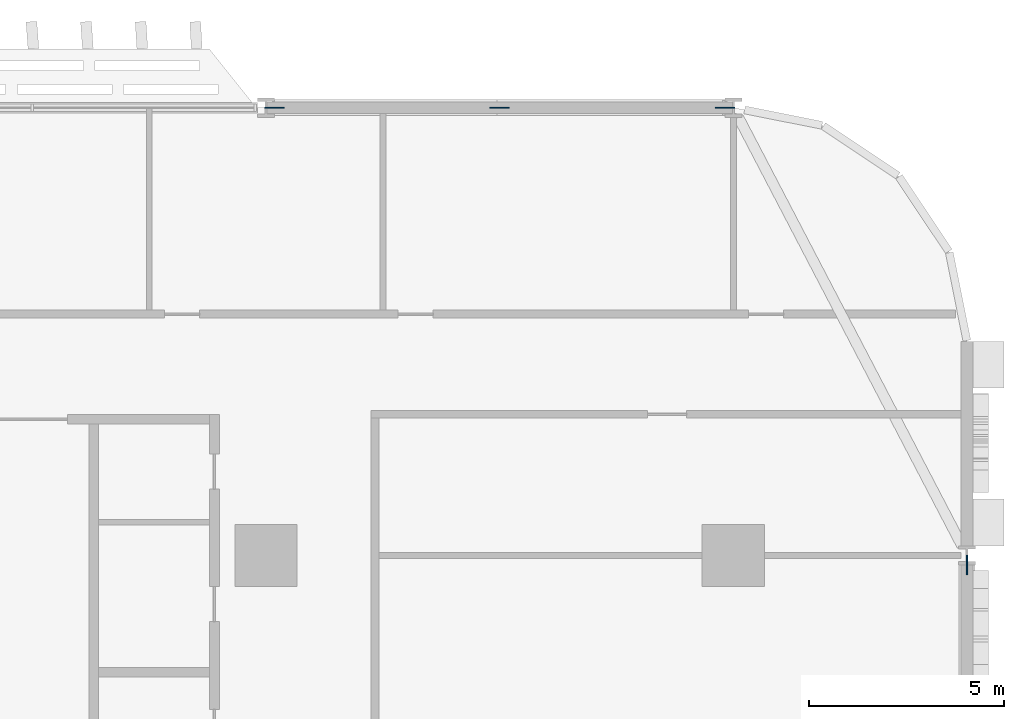
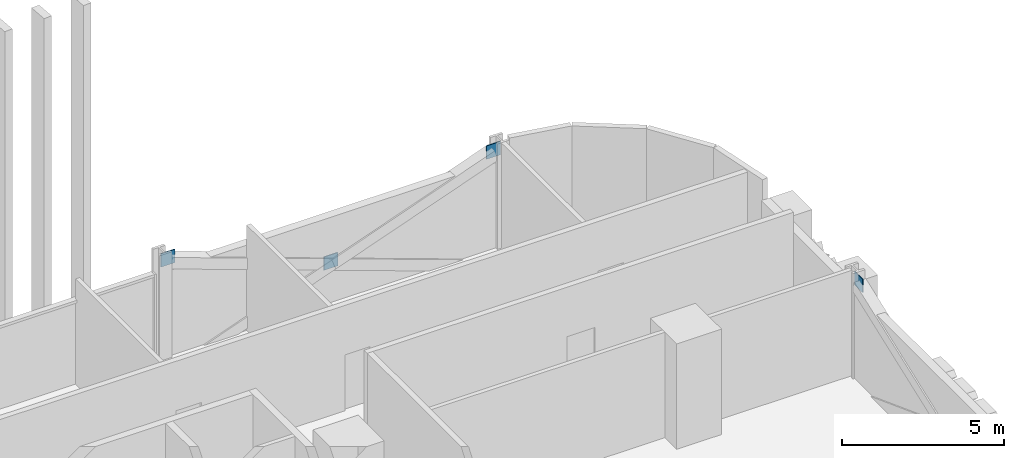
# One storey, part 22 of 29: 4 discrete accessories.
"""IFC4 building model written with IfcOpenShell, lengths in metres."""

import ifcopenshell
import ifcopenshell.guid

model = None  # the IFC model being written
_history = None  # IfcOwnerHistory: only IFC2X3 demands one
_inside = {}  # id of a spatial element -> (the spatial element, [elements in it])
_under = {}  # id of a project, library or spatial element -> (it, [spatial elements below it])
_declared = {}  # id of a project -> (the project, [libraries it declares])
_typed = {}  # id of a type object -> (the type object, [elements of that type])
_made_of = {}  # id of a material, layer set ... -> (it, [elements and type objects made of it])


def new_model(schema):
    """Start an empty IFC model of exactly this schema.

    Asked for "IFC4X3", IfcOpenShell would pick the latest addendum, in which some entities
    have other attributes; the version numbers below select the first issue.
    IFC2X3 requires an IfcOwnerHistory on every rooted entity: one is made here for all.
    """
    global model, _history
    if schema == "IFC4X3":
        model = ifcopenshell.file(schema_version=(4, 3, 0, 0))
    else:
        model = ifcopenshell.file(schema=schema)
    _inside.clear()
    _under.clear()
    _declared.clear()
    _typed.clear()
    _made_of.clear()
    _history = None
    if model.schema == "IFC2X3":
        org = make("IfcOrganization", Name="unknown")
        user = make(
            "IfcPersonAndOrganization",
            ThePerson=make("IfcPerson", FamilyName="unknown"),
            TheOrganization=org,
        )
        app = make(
            "IfcApplication",
            ApplicationDeveloper=org,
            Version="unknown",
            ApplicationFullName="unknown",
            ApplicationIdentifier="unknown",
        )
        _history = make(
            "IfcOwnerHistory",
            OwningUser=user,
            OwningApplication=app,
            ChangeAction="ADDED",
            CreationDate=0,
        )
    return model


def make(cls, **values):
    """One entity of the class cls with the attributes given. An attribute that is None is left unset."""
    return model.create_entity(
        cls, **{name: value for name, value in values.items() if value is not None}
    )


def rooted(cls, **values):
    """An entity with a GlobalId (a new one), such as an element, a storey or a relation."""
    return make(cls, GlobalId=ifcopenshell.guid.new(), OwnerHistory=_history, **values)


def si_unit(unit_type, name, prefix=None):
    """IfcSIUnit, for example si_unit("LENGTHUNIT", "METRE", prefix="MILLI")."""
    return make("IfcSIUnit", UnitType=unit_type, Prefix=prefix, Name=name)


def assignment(units):
    """IfcUnitAssignment: the units of a project."""
    return None if units is None else make("IfcUnitAssignment", Units=units)


def point(xyz):
    """IfcCartesianPoint."""
    return None if xyz is None else make("IfcCartesianPoint", Coordinates=xyz)


def direction(xyz):
    """IfcDirection."""
    return None if xyz is None else make("IfcDirection", DirectionRatios=xyz)


def frame(location, z_axis=None, x_axis=None):
    """IfcAxis2Placement3D, a coordinate frame: its origin and axes. An axis left out is left unset."""
    return make(
        "IfcAxis2Placement3D",
        Location=point(location),
        Axis=direction(z_axis),
        RefDirection=direction(x_axis),
    )


def frame_2d(location, x_axis=None):
    """IfcAxis2Placement2D, a coordinate frame in the plane: its origin and x axis."""
    return make(
        "IfcAxis2Placement2D", Location=point(location), RefDirection=direction(x_axis)
    )


def origin():
    """The frame at (0, 0, 0) with its axes left unset."""
    return frame((0.0, 0.0, 0.0))


def origin_2d():
    """The frame at (0, 0) in the plane with its x axis left unset."""
    return frame_2d((0.0, 0.0))


def place(relative_to, where):
    """IfcLocalPlacement: puts the frame where relative to a parent placement (None: the world)."""
    return make(
        "IfcLocalPlacement", PlacementRelTo=relative_to, RelativePlacement=where
    )


def context(
    kind, dimensions, precision=None, world=None, true_north=None, identifier=None
):
    """IfcGeometricRepresentationContext, for example the 3D "Model" context."""
    return make(
        "IfcGeometricRepresentationContext",
        ContextIdentifier=identifier,
        ContextType=kind,
        CoordinateSpaceDimension=dimensions,
        Precision=precision,
        WorldCoordinateSystem=world,
        TrueNorth=true_north,
    )


def subcontext(parent, identifier, kind, view, scale=None):
    """IfcGeometricRepresentationSubContext, for example "Body" below "Model"."""
    return make(
        "IfcGeometricRepresentationSubContext",
        ContextIdentifier=identifier,
        ContextType=kind,
        ParentContext=parent,
        TargetScale=scale,
        TargetView=view,
    )


def project(units=None, contexts=None):
    """IfcProject with its units and contexts."""
    return rooted(
        "IfcProject",
        Name="project",
        RepresentationContexts=contexts,
        UnitsInContext=assignment(units),
    )


def spatial(cls, under=None, at=None, **own):
    """A site, building, storey or space (cls), placed at a placement, below another one or the project."""
    s = rooted(cls, ObjectPlacement=at, **own)
    if under is not None:
        _under.setdefault(under.id(), (under, []))[1].append(s)
    return s


def profile(cls, at=None, kind="AREA", **sizes):
    """A parametric profile (cls). Its sizes go by their IFC names, for example OverallWidth=200.0."""
    return make(cls, ProfileType=kind, Position=at, **sizes)


def rectangle(**sizes):
    """IfcRectangleProfileDef."""
    return profile("IfcRectangleProfileDef", **sizes)


def extrude(swept, where, along, depth):
    """IfcExtrudedAreaSolid: the profile swept, set in the frame where, extruded along a direction by depth."""
    return make(
        "IfcExtrudedAreaSolid",
        SweptArea=swept,
        Position=where,
        ExtrudedDirection=direction(along),
        Depth=depth,
    )


def shape(context_of_items, identifier, shape_type, items):
    """IfcShapeRepresentation: the items that make up one representation, for example the "Body"."""
    return make(
        "IfcShapeRepresentation",
        ContextOfItems=context_of_items,
        RepresentationIdentifier=identifier,
        RepresentationType=shape_type,
        Items=items,
    )


def material(Name=None, Category=None):
    """IfcMaterial."""
    return make("IfcMaterial", Name=Name, Category=Category)


def layer(
    of_material, thickness, ventilated=None, Name=None, Category=None, Priority=None
):
    """IfcMaterialLayer: one layer of a wall or slab, of a material (None: an air gap)."""
    return make(
        "IfcMaterialLayer",
        Material=of_material,
        LayerThickness=thickness,
        IsVentilated=ventilated,
        Name=Name,
        Category=Category,
        Priority=Priority,
    )


def layer_set(layers, Name=None):
    """IfcMaterialLayerSet."""
    return make("IfcMaterialLayerSet", MaterialLayers=layers, LayerSetName=Name)


def made_of(thing, what):
    """Note that an element or type object is made of a material, layer set ...; save() writes the relation."""
    if what is not None:
        _made_of.setdefault(what.id(), (what, []))[1].append(thing)
    return thing


def type_object(cls, material=None, **own):
    """A type object (cls), such as IfcWallType, which elements share."""
    return made_of(rooted(cls, **own), material)


def element(
    cls,
    number,
    at=None,
    inside=None,
    cuts=None,
    type_object=None,
    material=None,
    context=None,
    identifier="Body",
    shape_type=None,
    held_by="IfcProductDefinitionShape",
    body=None,
    shapes=None,
    **own,
):
    """One element of the class cls, such as IfcWall. Its Tag is "e" and its number.

    at: its placement. inside: the storey or other place that contains it. cuts: it is an
    opening in that element (IfcRelVoidsElement). A single representation is given by context,
    identifier, shape_type and body (its items); several are given by shapes. held_by: the class
    of the entity that holds the representations. save() writes the other relations.
    """
    e = rooted(cls, Tag="e%d" % number, ObjectPlacement=at, **own)
    if body is not None:
        shapes = [shape(context, identifier, shape_type, body)]
    if shapes is not None:
        e.Representation = make(held_by, Representations=shapes)
    if inside is not None:
        _inside.setdefault(inside.id(), (inside, []))[1].append(e)
    if cuts is not None:
        rooted(
            "IfcRelVoidsElement", RelatingBuildingElement=cuts, RelatedOpeningElement=e
        )
    if type_object is not None:
        _typed.setdefault(type_object.id(), (type_object, []))[1].append(e)
    return made_of(e, material)


def aggregate(whole, parts):
    """IfcRelAggregates: a whole, such as a stair, and the parts it consists of."""
    return rooted("IfcRelAggregates", RelatingObject=whole, RelatedObjects=parts)


def save(model, path):
    """Write the relations noted so far, then the file.

    IfcRelAggregates (storeys below a building ...), IfcRelContainedInSpatialStructure (elements
    in a storey), IfcRelDefinesByType, IfcRelAssociatesMaterial and IfcRelDeclares: one each for
    every whole, place, type object, material and project.
    """
    for whole, parts in _under.values():
        aggregate(whole, parts)
    for where, things in _inside.values():
        rooted(
            "IfcRelContainedInSpatialStructure",
            RelatedElements=things,
            RelatingStructure=where,
        )
    for kind, things in _typed.values():
        rooted("IfcRelDefinesByType", RelatedObjects=things, RelatingType=kind)
    for what, things in _made_of.values():
        rooted("IfcRelAssociatesMaterial", RelatedObjects=things, RelatingMaterial=what)
    for by, libraries in _declared.values():
        rooted("IfcRelDeclares", RelatingContext=by, RelatedDefinitions=libraries)
    model.write(path)


model = new_model("IFC4")

# Units and contexts
model_context = context("Model", 3, precision=1e-05, world=origin(), true_north=direction((0.0, 1.0)))
body_context = subcontext(model_context, "Body", "Model", "MODEL_VIEW")
ifc_project = project(units=[si_unit("LENGTHUNIT", "METRE"), si_unit("AREAUNIT", "SQUARE_METRE"), si_unit("VOLUMEUNIT", "CUBIC_METRE"), si_unit("PLANEANGLEUNIT", "RADIAN"), si_unit("MASSUNIT", "GRAM", prefix="KILO")], contexts=[model_context])

# Site, building, storey
site_placement = place(None, origin())
site = spatial("IfcSite", under=ifc_project, at=site_placement, CompositionType="ELEMENT")
building_placement = place(site_placement, origin())
building = spatial("IfcBuilding", under=site, at=building_placement, Name="Mahtab Terrace Research Tower", CompositionType="ELEMENT")
storey_placement = place(building_placement, frame((0.0, 0.0, 24.39990234375)))
storey = spatial("IfcBuildingStorey", under=building, at=storey_placement, Name="L05", CompositionType="ELEMENT", Elevation=24.39990234375)

# Discrete accessories
ifc_material = material(Name="Steel ASTM A992 Gr 50", Category="steel")
ifc_layer = layer(ifc_material, 0.030029296875)
ifc_layer_set = layer_set([ifc_layer], Name="Gusset plate 500x500x30")
discrete_accessory_type = type_object("IfcDiscreteAccessoryType", Name="Gusset plate 500x500x30", PredefinedType="USERDEFINED", material=ifc_layer_set)
for number, where, z_axis, x_axis, name in (
    (1, (30.2158203125, 23.0, 3.33154296875), (0.0, 0.0, 1.0), (1.0, 0.0, 0.0), "Gusset plate"),
    (2, (36.0, 23.0, 1.181640625), (0.0, 0.0, 1.0), (1.0, 0.0, 0.0), "Gusset plate"),
    (3, (41.7841796875, 23.0, 3.33154296875), (0.0, 0.0, 1.0), (1.0, 0.0, 0.0), "Gusset plate"),
    (4, (48.0, 11.251220703125, 3.33154296875), (0.0, 0.0, 1.0), (0.0, 1.0, 0.0), "Gusset plate"),
):
    element("IfcDiscreteAccessory", number, at=place(storey_placement, frame(where, z_axis=z_axis, x_axis=x_axis)), inside=storey, type_object=discrete_accessory_type, Name=name, ObjectType="GUSSET PLATE", PredefinedType="USERDEFINED", context=body_context, shape_type="SweptSolid", body=[
        extrude(rectangle(XDim=0.5, YDim=0.030029296875, at=origin_2d()), origin(), (0.0, 0.0, 1.0), 0.5),
    ])

save(model, "model.ifc")
